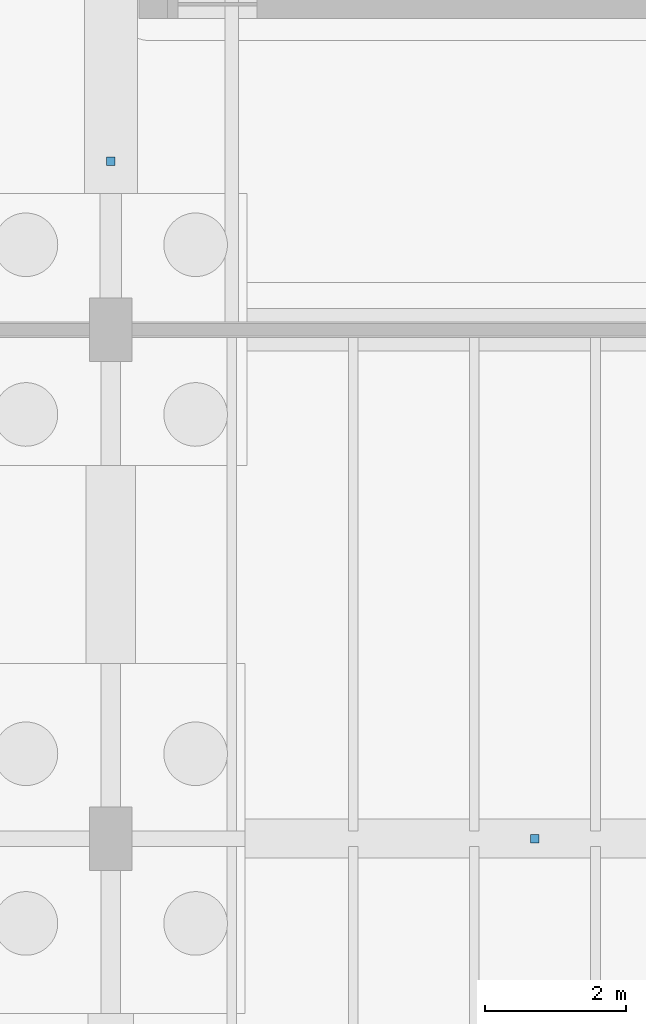
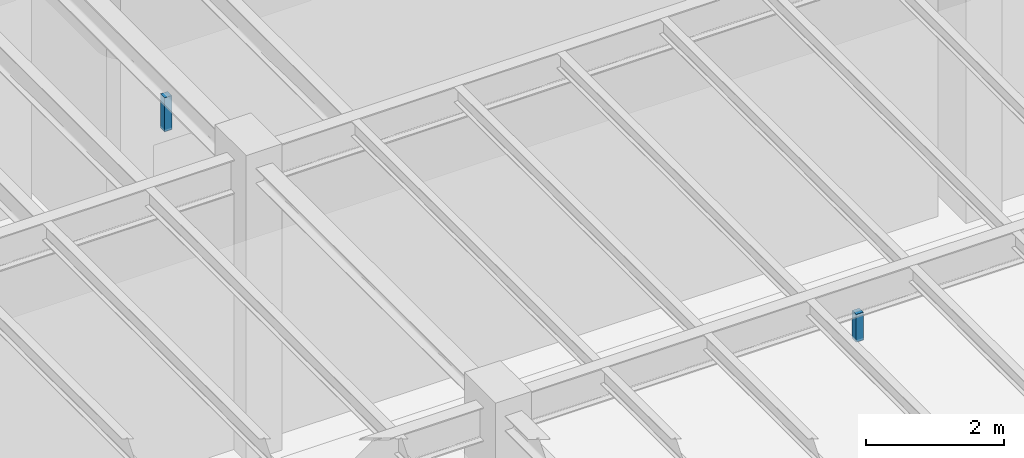
# One storey, part 48 of 67: 2 discrete accessories.
"""IFC4 building model written with IfcOpenShell, lengths in metres."""

from ifc_helpers import new_model, si_unit, direction, frame, origin, origin_2d, place, context, subcontext, project, spatial, rectangle, extrude, material, type_object, element, save


model = new_model("IFC4")

# Units and contexts
model_context = context("Model", 3, precision=1e-05, world=origin(), true_north=direction((0.0, 1.0)))
body_context = subcontext(model_context, "Body", "Model", "MODEL_VIEW")
ifc_project = project(units=[si_unit("LENGTHUNIT", "METRE"), si_unit("AREAUNIT", "SQUARE_METRE"), si_unit("VOLUMEUNIT", "CUBIC_METRE"), si_unit("PLANEANGLEUNIT", "RADIAN"), si_unit("MASSUNIT", "GRAM", prefix="KILO")], contexts=[model_context])

# Site, building, storey
site_placement = place(None, origin())
site = spatial("IfcSite", under=ifc_project, at=site_placement, CompositionType="ELEMENT")
building_placement = place(site_placement, origin())
building = spatial("IfcBuilding", under=site, at=building_placement, Name="Zlatogorsky Bluff Art Gallery", CompositionType="ELEMENT")
storey_placement = place(building_placement, frame((0.0, 0.0, -5.39990234375)))
storey = spatial("IfcBuildingStorey", under=building, at=storey_placement, Name="B1", CompositionType="ELEMENT", Elevation=-5.39990234375)

# Discrete accessories
ifc_material = material(Name="Steel S355", Category="steel")
discrete_accessory_type = type_object("IfcDiscreteAccessoryType", Name="Stainless Facade Fin Bracket BRK-01", PredefinedType="BRACKET", material=ifc_material)
discrete_accessory_1_placement = place(storey_placement, frame((18.0, 7.199951171875, 4.0546875), z_axis=(0.0, 0.0, 1.0), x_axis=(1.0, 0.0, 0.0)))
element("IfcDiscreteAccessory", 1, at=discrete_accessory_1_placement, inside=storey, type_object=discrete_accessory_type, Name="Acoustic ceiling suspension hanger B1-W1", PredefinedType="BRACKET", context=body_context, shape_type="SweptSolid", body=[
    extrude(rectangle(XDim=0.1201171875, YDim=0.1201171875, at=origin_2d()), origin(), (0.0, 0.0, 1.0), 0.489990234375),
])
discrete_accessory_2_placement = place(storey_placement, frame((12.0, 16.780029296875, 4.054931640625), z_axis=(0.0, 0.0, 1.0), x_axis=(1.0, 0.0, 0.0)))
element("IfcDiscreteAccessory", 2, at=discrete_accessory_2_placement, inside=storey, type_object=discrete_accessory_type, Name="Acoustic ceiling suspension hanger B1-A1-11", PredefinedType="BRACKET", context=body_context, shape_type="SweptSolid", body=[
    extrude(rectangle(XDim=0.1201171875, YDim=0.1201171875, at=origin_2d()), origin(), (0.0, 0.0, 1.0), 0.60009765625),
])

save(model, "model.ifc")
